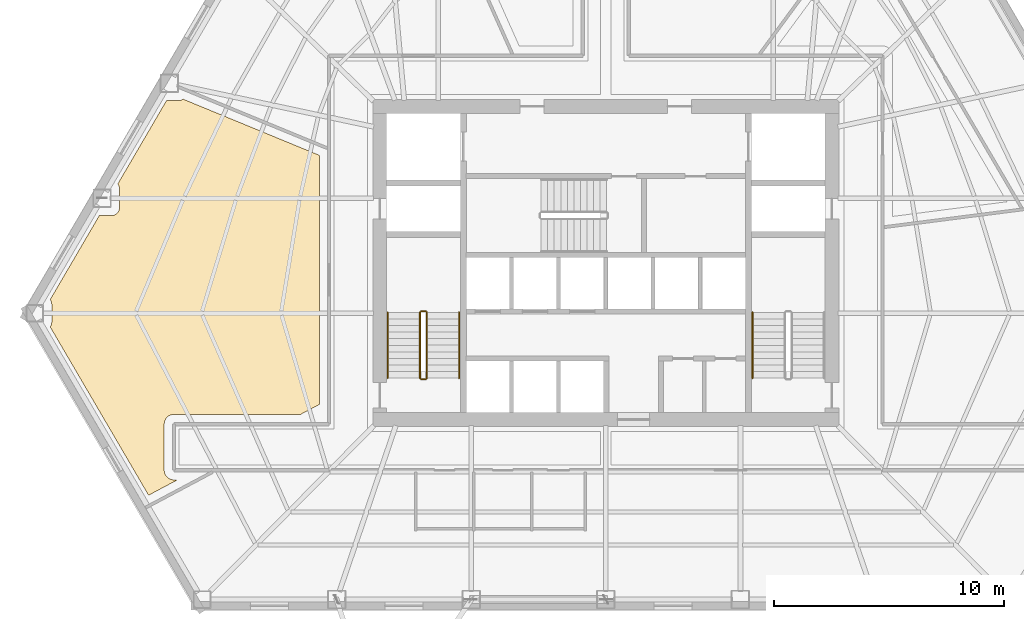
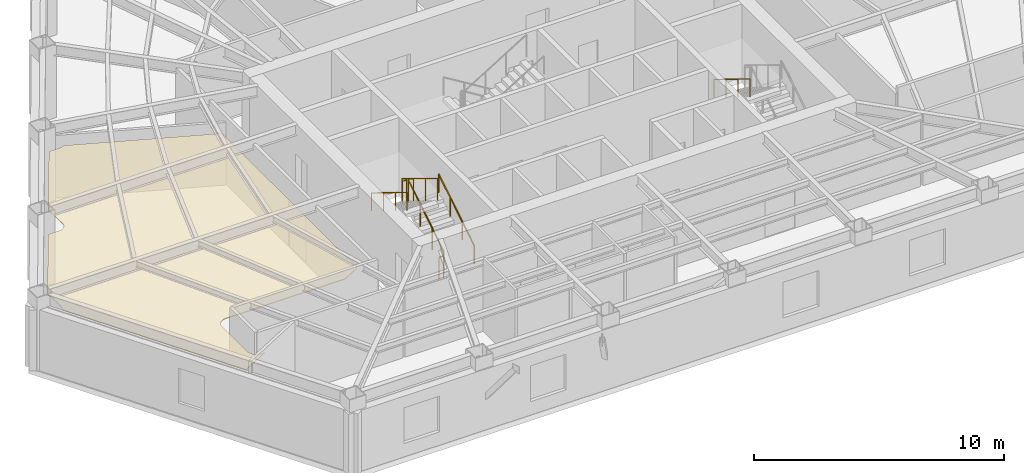
# One storey, part 10 of 13: 7 railings, 1 covering.
"""IFC4 building model written with IfcOpenShell, lengths in metres."""

import ifcopenshell
import ifcopenshell.guid

model = None  # the IFC model being written
_history = None  # IfcOwnerHistory: only IFC2X3 demands one
_inside = {}  # id of a spatial element -> (the spatial element, [elements in it])
_under = {}  # id of a project, library or spatial element -> (it, [spatial elements below it])
_declared = {}  # id of a project -> (the project, [libraries it declares])
_typed = {}  # id of a type object -> (the type object, [elements of that type])
_made_of = {}  # id of a material, layer set ... -> (it, [elements and type objects made of it])


def new_model(schema):
    """Start an empty IFC model of exactly this schema.

    Asked for "IFC4X3", IfcOpenShell would pick the latest addendum, in which some entities
    have other attributes; the version numbers below select the first issue.
    IFC2X3 requires an IfcOwnerHistory on every rooted entity: one is made here for all.
    """
    global model, _history
    if schema == "IFC4X3":
        model = ifcopenshell.file(schema_version=(4, 3, 0, 0))
    else:
        model = ifcopenshell.file(schema=schema)
    _inside.clear()
    _under.clear()
    _declared.clear()
    _typed.clear()
    _made_of.clear()
    _history = None
    if model.schema == "IFC2X3":
        org = make("IfcOrganization", Name="unknown")
        user = make(
            "IfcPersonAndOrganization",
            ThePerson=make("IfcPerson", FamilyName="unknown"),
            TheOrganization=org,
        )
        app = make(
            "IfcApplication",
            ApplicationDeveloper=org,
            Version="unknown",
            ApplicationFullName="unknown",
            ApplicationIdentifier="unknown",
        )
        _history = make(
            "IfcOwnerHistory",
            OwningUser=user,
            OwningApplication=app,
            ChangeAction="ADDED",
            CreationDate=0,
        )
    return model


def make(cls, **values):
    """One entity of the class cls with the attributes given. An attribute that is None is left unset."""
    return model.create_entity(
        cls, **{name: value for name, value in values.items() if value is not None}
    )


def rooted(cls, **values):
    """An entity with a GlobalId (a new one), such as an element, a storey or a relation."""
    return make(cls, GlobalId=ifcopenshell.guid.new(), OwnerHistory=_history, **values)


def si_unit(unit_type, name, prefix=None):
    """IfcSIUnit, for example si_unit("LENGTHUNIT", "METRE", prefix="MILLI")."""
    return make("IfcSIUnit", UnitType=unit_type, Prefix=prefix, Name=name)


def assignment(units):
    """IfcUnitAssignment: the units of a project."""
    return None if units is None else make("IfcUnitAssignment", Units=units)


def point(xyz):
    """IfcCartesianPoint."""
    return None if xyz is None else make("IfcCartesianPoint", Coordinates=xyz)


def direction(xyz):
    """IfcDirection."""
    return None if xyz is None else make("IfcDirection", DirectionRatios=xyz)


def frame(location, z_axis=None, x_axis=None):
    """IfcAxis2Placement3D, a coordinate frame: its origin and axes. An axis left out is left unset."""
    return make(
        "IfcAxis2Placement3D",
        Location=point(location),
        Axis=direction(z_axis),
        RefDirection=direction(x_axis),
    )


def frame_2d(location, x_axis=None):
    """IfcAxis2Placement2D, a coordinate frame in the plane: its origin and x axis."""
    return make(
        "IfcAxis2Placement2D", Location=point(location), RefDirection=direction(x_axis)
    )


def origin():
    """The frame at (0, 0, 0) with its axes left unset."""
    return frame((0.0, 0.0, 0.0))


def origin_2d():
    """The frame at (0, 0) in the plane with its x axis left unset."""
    return frame_2d((0.0, 0.0))


def place(relative_to, where):
    """IfcLocalPlacement: puts the frame where relative to a parent placement (None: the world)."""
    return make(
        "IfcLocalPlacement", PlacementRelTo=relative_to, RelativePlacement=where
    )


def context(
    kind, dimensions, precision=None, world=None, true_north=None, identifier=None
):
    """IfcGeometricRepresentationContext, for example the 3D "Model" context."""
    return make(
        "IfcGeometricRepresentationContext",
        ContextIdentifier=identifier,
        ContextType=kind,
        CoordinateSpaceDimension=dimensions,
        Precision=precision,
        WorldCoordinateSystem=world,
        TrueNorth=true_north,
    )


def subcontext(parent, identifier, kind, view, scale=None):
    """IfcGeometricRepresentationSubContext, for example "Body" below "Model"."""
    return make(
        "IfcGeometricRepresentationSubContext",
        ContextIdentifier=identifier,
        ContextType=kind,
        ParentContext=parent,
        TargetScale=scale,
        TargetView=view,
    )


def project(units=None, contexts=None):
    """IfcProject with its units and contexts."""
    return rooted(
        "IfcProject",
        Name="project",
        RepresentationContexts=contexts,
        UnitsInContext=assignment(units),
    )


def spatial(cls, under=None, at=None, **own):
    """A site, building, storey or space (cls), placed at a placement, below another one or the project."""
    s = rooted(cls, ObjectPlacement=at, **own)
    if under is not None:
        _under.setdefault(under.id(), (under, []))[1].append(s)
    return s


def polyline(points):
    """IfcPolyline through the points."""
    return make("IfcPolyline", Points=[point(p) for p in points])


def profile(cls, at=None, kind="AREA", **sizes):
    """A parametric profile (cls). Its sizes go by their IFC names, for example OverallWidth=200.0."""
    return make(cls, ProfileType=kind, Position=at, **sizes)


def circle(**sizes):
    """IfcCircleProfileDef."""
    return profile("IfcCircleProfileDef", **sizes)


def outline(outer, holes=None, kind="AREA"):
    """IfcArbitraryClosedProfileDef: a profile drawn as a closed curve; with holes, ...WithVoids."""
    if holes is None:
        return make("IfcArbitraryClosedProfileDef", ProfileType=kind, OuterCurve=outer)
    return make(
        "IfcArbitraryProfileDefWithVoids",
        ProfileType=kind,
        OuterCurve=outer,
        InnerCurves=holes,
    )


def extrude(swept, where, along, depth):
    """IfcExtrudedAreaSolid: the profile swept, set in the frame where, extruded along a direction by depth."""
    return make(
        "IfcExtrudedAreaSolid",
        SweptArea=swept,
        Position=where,
        ExtrudedDirection=direction(along),
        Depth=depth,
    )


def shape(context_of_items, identifier, shape_type, items):
    """IfcShapeRepresentation: the items that make up one representation, for example the "Body"."""
    return make(
        "IfcShapeRepresentation",
        ContextOfItems=context_of_items,
        RepresentationIdentifier=identifier,
        RepresentationType=shape_type,
        Items=items,
    )


def material(Name=None, Category=None):
    """IfcMaterial."""
    return make("IfcMaterial", Name=Name, Category=Category)


def layer(
    of_material, thickness, ventilated=None, Name=None, Category=None, Priority=None
):
    """IfcMaterialLayer: one layer of a wall or slab, of a material (None: an air gap)."""
    return make(
        "IfcMaterialLayer",
        Material=of_material,
        LayerThickness=thickness,
        IsVentilated=ventilated,
        Name=Name,
        Category=Category,
        Priority=Priority,
    )


def layer_set(layers, Name=None):
    """IfcMaterialLayerSet."""
    return make("IfcMaterialLayerSet", MaterialLayers=layers, LayerSetName=Name)


def made_of(thing, what):
    """Note that an element or type object is made of a material, layer set ...; save() writes the relation."""
    if what is not None:
        _made_of.setdefault(what.id(), (what, []))[1].append(thing)
    return thing


def type_object(cls, material=None, **own):
    """A type object (cls), such as IfcWallType, which elements share."""
    return made_of(rooted(cls, **own), material)


def element(
    cls,
    number,
    at=None,
    inside=None,
    cuts=None,
    type_object=None,
    material=None,
    context=None,
    identifier="Body",
    shape_type=None,
    held_by="IfcProductDefinitionShape",
    body=None,
    shapes=None,
    **own,
):
    """One element of the class cls, such as IfcWall. Its Tag is "e" and its number.

    at: its placement. inside: the storey or other place that contains it. cuts: it is an
    opening in that element (IfcRelVoidsElement). A single representation is given by context,
    identifier, shape_type and body (its items); several are given by shapes. held_by: the class
    of the entity that holds the representations. save() writes the other relations.
    """
    e = rooted(cls, Tag="e%d" % number, ObjectPlacement=at, **own)
    if body is not None:
        shapes = [shape(context, identifier, shape_type, body)]
    if shapes is not None:
        e.Representation = make(held_by, Representations=shapes)
    if inside is not None:
        _inside.setdefault(inside.id(), (inside, []))[1].append(e)
    if cuts is not None:
        rooted(
            "IfcRelVoidsElement", RelatingBuildingElement=cuts, RelatedOpeningElement=e
        )
    if type_object is not None:
        _typed.setdefault(type_object.id(), (type_object, []))[1].append(e)
    return made_of(e, material)


def aggregate(whole, parts):
    """IfcRelAggregates: a whole, such as a stair, and the parts it consists of."""
    return rooted("IfcRelAggregates", RelatingObject=whole, RelatedObjects=parts)


def save(model, path):
    """Write the relations noted so far, then the file.

    IfcRelAggregates (storeys below a building ...), IfcRelContainedInSpatialStructure (elements
    in a storey), IfcRelDefinesByType, IfcRelAssociatesMaterial and IfcRelDeclares: one each for
    every whole, place, type object, material and project.
    """
    for whole, parts in _under.values():
        aggregate(whole, parts)
    for where, things in _inside.values():
        rooted(
            "IfcRelContainedInSpatialStructure",
            RelatedElements=things,
            RelatingStructure=where,
        )
    for kind, things in _typed.values():
        rooted("IfcRelDefinesByType", RelatedObjects=things, RelatingType=kind)
    for what, things in _made_of.values():
        rooted("IfcRelAssociatesMaterial", RelatedObjects=things, RelatingMaterial=what)
    for by, libraries in _declared.values():
        rooted("IfcRelDeclares", RelatingContext=by, RelatedDefinitions=libraries)
    model.write(path)


model = new_model("IFC4")

# Units and contexts
model_context = context("Model", 3, precision=1e-05, world=origin(), true_north=direction((0.0, 1.0)))
body_context = subcontext(model_context, "Body", "Model", "MODEL_VIEW")
ifc_project = project(units=[si_unit("LENGTHUNIT", "METRE"), si_unit("AREAUNIT", "SQUARE_METRE"), si_unit("VOLUMEUNIT", "CUBIC_METRE"), si_unit("PLANEANGLEUNIT", "RADIAN"), si_unit("MASSUNIT", "GRAM", prefix="KILO")], contexts=[model_context])

# Site, building, storey
site_placement = place(None, origin())
site = spatial("IfcSite", under=ifc_project, at=site_placement, CompositionType="ELEMENT")
building_placement = place(site_placement, origin())
building = spatial("IfcBuilding", under=site, at=building_placement, Name="Kavelnor Concourse Tower", CompositionType="ELEMENT")
storey_placement = place(building_placement, frame((0.0, 0.0, 59.89990234375)))
storey = spatial("IfcBuildingStorey", under=building, at=storey_placement, Name="L15", CompositionType="ELEMENT", Elevation=59.89990234375)

# Covering
ifc_material_1 = material(Name="Mineral fibre acoustic ceiling tile")
ifc_layer = layer(ifc_material_1, 0.0400390625, Name="Mineral fibre acoustic ceiling tile")
ifc_layer_set = layer_set([ifc_layer], Name="Mineral fibre acoustic ceiling tile")
covering_type = type_object("IfcCoveringType", Name="COV-CEILING-ACOUSTIC", PredefinedType="CEILING", material=ifc_layer_set)
covering_placement = place(storey_placement, frame((0.0, 0.0, 2.75)))
element("IfcCovering", 1, at=covering_placement, inside=storey, type_object=covering_type, Name="L15 Suspended Acoustic Ceiling", PredefinedType="CEILING", context=body_context, shape_type="SweptSolid", body=[
    extrude(outline(polyline([(13.879638671875, 13.334228515625), (13.897705078125, 13.364501953125), (13.912841796875, 13.396484375), (13.9248046875, 13.429931640625), (13.933349609375, 13.464111328125), (13.938720703125, 13.499267578125), (13.93994140625, 13.526123046875), (13.93994140625, 14.302734375), (13.938720703125, 14.329833984375), (13.933349609375, 14.36474609375), (13.9248046875, 14.399169921875), (13.912841796875, 14.432373046875), (13.897705078125, 14.46435546875), (13.879638671875, 14.49462890625), (13.87060546875, 14.5068359375), (16.0009765625, 18.15087890625), (16.529296875, 18.15087890625), (16.556396484375, 18.15234375), (16.59130859375, 18.157470703125), (16.62548828125, 18.166015625), (16.658935546875, 18.177978515625), (16.69091796875, 18.193115234375), (16.72119140625, 18.211181640625), (16.74951171875, 18.232421875), (16.77587890625, 18.256103515625), (16.799560546875, 18.282470703125), (16.82080078125, 18.310791015625), (16.8388671875, 18.341064453125), (16.85400390625, 18.373046875), (16.865966796875, 18.406494140625), (16.87451171875, 18.440673828125), (16.879638671875, 18.4755859375), (16.881103515625, 18.502685546875), (16.881103515625, 19.3193359375), (16.879638671875, 19.34619140625), (16.87451171875, 19.38134765625), (16.865966796875, 19.41552734375), (16.85400390625, 19.448974609375), (16.8388671875, 19.48095703125), (16.82080078125, 19.51123046875), (16.806884765625, 19.529541015625), (18.922119140625, 23.147705078125), (19.450439453125, 23.147705078125), (19.477294921875, 23.14892578125), (19.512451171875, 23.154052734375), (19.546630859375, 23.16259765625), (19.580078125, 23.174560546875), (19.612060546875, 23.189697265625), (19.642333984375, 23.2080078125), (19.6455078125, 23.210205078125), (25.5576171875, 20.775390625), (25.5576171875, 9.9541015625), (24.74560546875, 9.5224609375), (19.238037109375, 9.5224609375), (19.204833984375, 9.52099609375), (19.163818359375, 9.514892578125), (19.12353515625, 9.504638671875), (19.084716796875, 9.49072265625), (19.047119140625, 9.472900390625), (19.011474609375, 9.45166015625), (18.97802734375, 9.427001953125), (18.947509765625, 9.39892578125), (18.91943359375, 9.368408203125), (18.894775390625, 9.3349609375), (18.873291015625, 9.29931640625), (18.855712890625, 9.26171875), (18.841796875, 9.222900390625), (18.83154296875, 9.1826171875), (18.825439453125, 9.1416015625), (18.823974609375, 9.1083984375), (18.823974609375, 7.091796875), (18.825439453125, 7.05859375), (18.83154296875, 7.017578125), (18.841796875, 6.977294921875), (18.855712890625, 6.938232421875), (18.873291015625, 6.900634765625), (18.894775390625, 6.864990234375), (18.91943359375, 6.831787109375), (18.947509765625, 6.801025390625), (18.97802734375, 6.773193359375), (19.011474609375, 6.748291015625), (19.047119140625, 6.72705078125), (19.084716796875, 6.709228515625), (19.12353515625, 6.6953125), (19.163818359375, 6.685302734375), (19.204833984375, 6.67919921875), (19.238037109375, 6.677490234375), (19.39501953125, 6.677490234375), (18.14404296875, 6.012451171875), (13.87060546875, 13.322021484375), (13.879638671875, 13.334228515625)])), origin(), (0.0, 0.0, 1.0), 0.0400390625),
])

# Railings
ifc_material_2 = material(Name="Steel Grade 350", Category="steel")
railing_type_1 = type_object("IfcRailingType", Name="RLG-GUARD-1100", PredefinedType="GUARDRAIL", material=ifc_material_2)
railing_1_placement = place(storey_placement, frame((30.22998046875, 11.10009765625, 0.175048828125)))
element("IfcRailing", 2, at=railing_1_placement, inside=storey, type_object=railing_type_1, Name="L15 ST1 stair guard 1", PredefinedType="GUARDRAIL", context=body_context, shape_type="SweptSolid", body=[
    extrude(circle(Radius=0.02392578125, at=origin_2d()), frame((0.0, 0.0, 1.076171875), z_axis=(0.0, 0.852159232446, 0.523282564737), x_axis=(-1.0, 0.0, 0.0)), (0.0, 0.0, 1.0), 3.34423828125),
    extrude(circle(Radius=0.02099609375, at=origin_2d()), origin(), (0.0, 0.0, 1.0), 1.052001953125),
    extrude(circle(Radius=0.02099609375, at=origin_2d()), frame((0.0, 0.949951171875, 0.583251953125)), (0.0, 0.0, 1.0), 1.052001953125),
    extrude(circle(Radius=0.02099609375, at=origin_2d()), frame((0.0, 1.89990234375, 1.166748046875)), (0.0, 0.0, 1.0), 1.052001953125),
    extrude(circle(Radius=0.02099609375, at=origin_2d()), frame((0.0, 2.849853515625, 1.75)), (0.0, 0.0, 1.0), 1.052001953125),
])
railing_2_placement = place(storey_placement, frame((30.179931640625, 14.0, 1.925048828125)))
element("IfcRailing", 3, at=railing_2_placement, inside=storey, type_object=railing_type_1, Name="L15 ST1 stair guard 2", PredefinedType="GUARDRAIL", context=body_context, shape_type="SweptSolid", body=[
    extrude(circle(Radius=0.02392578125, at=origin_2d()), frame((0.0, 0.0, 1.076171875), z_axis=(-1.0, 0.0, 0.0), x_axis=(0.0, -1.0, 0.0)), (0.0, 0.0, 1.0), 0.199951171875),
    extrude(circle(Radius=0.02099609375, at=origin_2d()), origin(), (0.0, 0.0, 1.0), 1.052001953125),
    extrude(circle(Radius=0.02099609375, at=origin_2d()), frame((-0.199951171875, 0.0, 0.0)), (0.0, 0.0, 1.0), 1.052001953125),
])
railing_3_placement = place(storey_placement, frame((29.929931640625, 13.949951171875, 2.10009765625)))
element("IfcRailing", 4, at=railing_3_placement, inside=storey, type_object=railing_type_1, Name="L15 ST1 stair guard 3", PredefinedType="GUARDRAIL", context=body_context, shape_type="SweptSolid", body=[
    extrude(circle(Radius=0.02392578125, at=origin_2d()), frame((0.0, 0.0, 1.076171875), z_axis=(0.0, -0.852159232446, 0.523282564737), x_axis=(1.0, 0.0, 0.0)), (0.0, 0.0, 1.0), 3.34423828125),
    extrude(circle(Radius=0.02099609375, at=origin_2d()), origin(), (0.0, 0.0, 1.0), 1.052001953125),
    extrude(circle(Radius=0.02099609375, at=origin_2d()), frame((0.0, -0.949951171875, 0.583251953125)), (0.0, 0.0, 1.0), 1.052001953125),
    extrude(circle(Radius=0.02099609375, at=origin_2d()), frame((0.0, -1.89990234375, 1.166748046875)), (0.0, 0.0, 1.0), 1.052001953125),
    extrude(circle(Radius=0.02099609375, at=origin_2d()), frame((0.0, -2.849853515625, 1.75)), (0.0, 0.0, 1.0), 1.052001953125),
])
railing_4_placement = place(storey_placement, frame((30.179931640625, 11.050048828125, 0.0)))
element("IfcRailing", 5, at=railing_4_placement, inside=storey, type_object=railing_type_1, Name="L15 ST1 stair guard 4", PredefinedType="GUARDRAIL", context=body_context, shape_type="SweptSolid", body=[
    extrude(circle(Radius=0.02392578125, at=origin_2d()), frame((0.0, 0.0, 1.076171875), z_axis=(-1.0, 0.0, 0.0), x_axis=(0.0, -1.0, 0.0)), (0.0, 0.0, 1.0), 0.199951171875),
    extrude(circle(Radius=0.02099609375, at=origin_2d()), origin(), (0.0, 0.0, 1.0), 1.052001953125),
    extrude(circle(Radius=0.02099609375, at=origin_2d()), frame((-0.199951171875, 0.0, 0.0)), (0.0, 0.0, 1.0), 1.052001953125),
])
railing_type_2 = type_object("IfcRailingType", Name="RLG-HANDRAIL-900", PredefinedType="HANDRAIL", material=ifc_material_2)
railing_5_placement = place(storey_placement, frame((31.6298828125, 11.10009765625, 0.175048828125)))
element("IfcRailing", 6, at=railing_5_placement, inside=storey, type_object=railing_type_2, Name="L15 ST1 stair handrail 1", PredefinedType="HANDRAIL", context=body_context, shape_type="SweptSolid", body=[
    extrude(circle(Radius=0.02392578125, at=origin_2d()), frame((0.0, 0.0, 0.8759765625), z_axis=(0.0, 0.852159232446, 0.523282564737), x_axis=(-1.0, 0.0, 0.0)), (0.0, 0.0, 1.0), 3.34423828125),
    extrude(circle(Radius=0.02099609375, at=origin_2d()), origin(), (0.0, 0.0, 1.0), 0.851806640625),
    extrude(circle(Radius=0.02099609375, at=origin_2d()), frame((0.0, 0.949951171875, 0.583251953125)), (0.0, 0.0, 1.0), 0.851806640625),
    extrude(circle(Radius=0.02099609375, at=origin_2d()), frame((0.0, 1.89990234375, 1.166748046875)), (0.0, 0.0, 1.0), 0.851806640625),
    extrude(circle(Radius=0.02099609375, at=origin_2d()), frame((0.0, 2.849853515625, 1.75)), (0.0, 0.0, 1.0), 0.851806640625),
])
for number, where, name in (
    (7, (28.530029296875, 13.949951171875, 2.10009765625), "L15 ST1 stair handrail 2"),
    (8, (44.3701171875, 13.949951171875, 2.10009765625), "L15 ST2 stair handrail 2"),
):
    element("IfcRailing", number, at=place(storey_placement, frame(where)), inside=storey, type_object=railing_type_2, Name=name, PredefinedType="HANDRAIL", context=body_context, shape_type="SweptSolid", body=[
        extrude(circle(Radius=0.02392578125, at=origin_2d()), frame((0.0, 0.0, 0.8759765625), z_axis=(0.0, -0.852159232446, 0.523282564737), x_axis=(1.0, 0.0, 0.0)), (0.0, 0.0, 1.0), 3.34423828125),
        extrude(circle(Radius=0.02099609375, at=origin_2d()), origin(), (0.0, 0.0, 1.0), 0.851806640625),
        extrude(circle(Radius=0.02099609375, at=origin_2d()), frame((0.0, -0.949951171875, 0.583251953125)), (0.0, 0.0, 1.0), 0.851806640625),
        extrude(circle(Radius=0.02099609375, at=origin_2d()), frame((0.0, -1.89990234375, 1.166748046875)), (0.0, 0.0, 1.0), 0.851806640625),
        extrude(circle(Radius=0.02099609375, at=origin_2d()), frame((0.0, -2.849853515625, 1.75)), (0.0, 0.0, 1.0), 0.851806640625),
    ])

save(model, "model.ifc")
